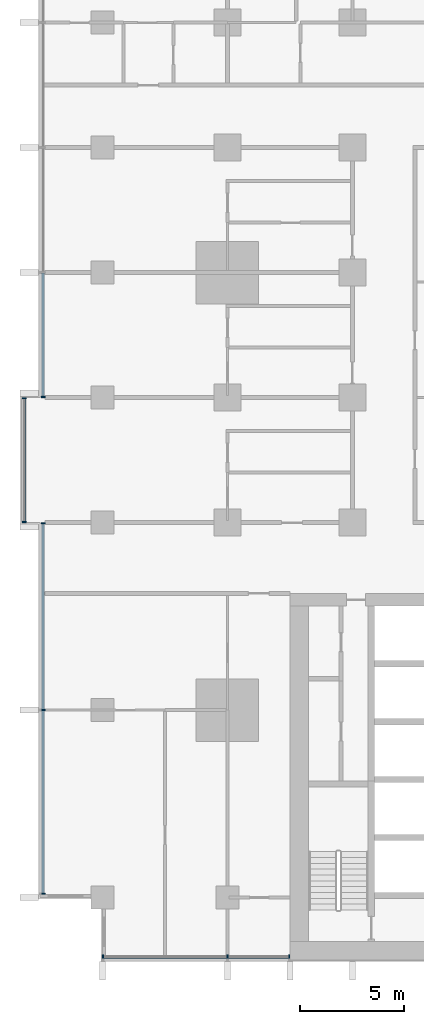
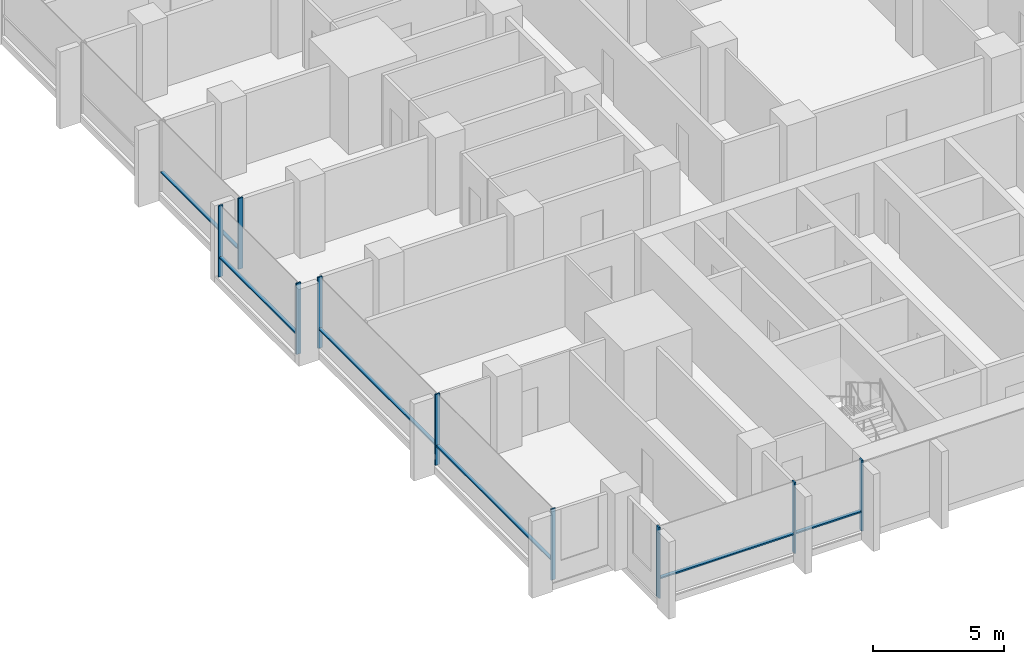
# One storey, part 2 of 18: 15 members, 4 elements without a shape of their own.
"""IFC4 building model written with IfcOpenShell, lengths in metres."""

from ifc_helpers import new_model, si_unit, direction, frame, origin, origin_2d, place, context, subcontext, project, spatial, rectangle, extrude, material, material_profile, profile_set, type_object, element, aggregate, save


model = new_model("IFC4")

# Units and contexts
model_context = context("Model", 3, precision=1e-05, world=origin(), true_north=direction((0.0, 1.0)))
body_context = subcontext(model_context, "Body", "Model", "MODEL_VIEW")
ifc_project = project(units=[si_unit("LENGTHUNIT", "METRE"), si_unit("AREAUNIT", "SQUARE_METRE"), si_unit("VOLUMEUNIT", "CUBIC_METRE"), si_unit("PLANEANGLEUNIT", "RADIAN"), si_unit("MASSUNIT", "GRAM", prefix="KILO")], contexts=[model_context])

# Site, building, storey
site_placement = place(None, origin())
site = spatial("IfcSite", under=ifc_project, at=site_placement, CompositionType="ELEMENT")
building_placement = place(site_placement, origin())
building = spatial("IfcBuilding", under=site, at=building_placement, Name="Finial Court Residences", CompositionType="ELEMENT")
storey_placement = place(building_placement, frame((0.0, 0.0, 68.5)))
storey = spatial("IfcBuildingStorey", under=building, at=storey_placement, Name="L16", CompositionType="ELEMENT", Elevation=68.5)

# Curtain wall, members
ifc_material = material(Name="Bronze anodised aluminium", Category="aluminium")
curtain_wall_type = type_object("IfcCurtainWallType", Name="Unitised curtain wall, lower and middle zones", PredefinedType="NOTDEFINED", material=ifc_material)
curtain_wall_1_placement = place(storey_placement, origin())
curtain_wall_1 = element("IfcCurtainWall", 1, at=curtain_wall_1_placement, inside=storey, type_object=curtain_wall_type, Name="E-L16-CW-S9", PredefinedType="NOTDEFINED")
ifc_material_profile_1 = material_profile(ifc_material, rectangle(XDim=0.199951171875, YDim=0.06494140625, at=origin_2d()), Name="CW1 mullion 65 x 200")
ifc_profile_set_1 = profile_set([ifc_material_profile_1], Name="Bronze anodised aluminium")
member_type_1 = type_object("IfcMemberType", Name="CW1 mullion 65 x 200", PredefinedType="MULLION", material=ifc_profile_set_1)
member_1_placement = place(storey_placement, frame((-22.467529296875, -25.35009765625, 0.0), z_axis=(0.0, 0.0, 1.0), x_axis=(0.0, 1.0, 0.0)))
member_1 = element("IfcMember", 2, at=member_1_placement, type_object=member_type_1, Name="CW1 mullion 1", PredefinedType="MULLION", context=body_context, shape_type="SweptSolid", body=[
    extrude(rectangle(XDim=0.199951171875, YDim=0.06494140625, at=origin_2d()), origin(), (0.0, 0.0, 1.0), 3.300048828125),
])
member_2_placement = place(storey_placement, frame((-16.5, -25.35009765625, 0.0), z_axis=(0.0, 0.0, 1.0), x_axis=(0.0, 1.0, 0.0)))
member_2 = element("IfcMember", 3, at=member_2_placement, type_object=member_type_1, Name="CW1 mullion 2", PredefinedType="MULLION", context=body_context, shape_type="SweptSolid", body=[
    extrude(rectangle(XDim=0.199951171875, YDim=0.06494140625, at=origin_2d()), origin(), (0.0, 0.0, 1.0), 3.300048828125),
])
member_3_placement = place(storey_placement, frame((-13.532470703125, -25.35009765625, 0.0), z_axis=(0.0, 0.0, 1.0), x_axis=(0.0, 1.0, 0.0)))
member_3 = element("IfcMember", 4, at=member_3_placement, type_object=member_type_1, Name="CW1 mullion 3", PredefinedType="MULLION", context=body_context, shape_type="SweptSolid", body=[
    extrude(rectangle(XDim=0.199951171875, YDim=0.06494140625, at=origin_2d()), origin(), (0.0, 0.0, 1.0), 3.300048828125),
])

curtain_wall_2_placement = place(storey_placement, origin())
curtain_wall_2 = element("IfcCurtainWall", 5, at=curtain_wall_2_placement, inside=storey, type_object=curtain_wall_type, Name="E-L16-CW-W11", PredefinedType="NOTDEFINED")
member_4_placement = place(storey_placement, frame((-25.35009765625, -22.3173828125, 0.0), z_axis=(0.0, 0.0, 1.0), x_axis=(-1.0, 0.0, 0.0)))
member_4 = element("IfcMember", 6, at=member_4_placement, type_object=member_type_1, Name="CW1 mullion 1", PredefinedType="MULLION", context=body_context, shape_type="SweptSolid", body=[
    extrude(rectangle(XDim=0.199951171875, YDim=0.06494140625, at=origin_2d()), origin(), (0.0, 0.0, 1.0), 3.300048828125),
])
member_5_placement = place(storey_placement, frame((-25.35009765625, -13.5, 0.0), z_axis=(0.0, 0.0, 1.0), x_axis=(-1.0, 0.0, 0.0)))
member_5 = element("IfcMember", 7, at=member_5_placement, type_object=member_type_1, Name="CW1 mullion 2", PredefinedType="MULLION", context=body_context, shape_type="SweptSolid", body=[
    extrude(rectangle(XDim=0.199951171875, YDim=0.06494140625, at=origin_2d()), origin(), (0.0, 0.0, 1.0), 3.300048828125),
])
member_6_placement = place(storey_placement, frame((-25.35009765625, -4.532470703125, 0.0), z_axis=(0.0, 0.0, 1.0), x_axis=(-1.0, 0.0, 0.0)))
member_6 = element("IfcMember", 8, at=member_6_placement, type_object=member_type_1, Name="CW1 mullion 3", PredefinedType="MULLION", context=body_context, shape_type="SweptSolid", body=[
    extrude(rectangle(XDim=0.199951171875, YDim=0.06494140625, at=origin_2d()), origin(), (0.0, 0.0, 1.0), 3.300048828125),
])

curtain_wall_3_placement = place(storey_placement, origin())
curtain_wall_3 = element("IfcCurtainWall", 9, at=curtain_wall_3_placement, inside=storey, type_object=curtain_wall_type, Name="E-L16-CW-W12", PredefinedType="NOTDEFINED")
member_7_placement = place(storey_placement, frame((-26.25, -4.467529296875, 0.0), z_axis=(0.0, 0.0, 1.0), x_axis=(-1.0, 0.0, 0.0)))
member_7 = element("IfcMember", 10, at=member_7_placement, type_object=member_type_1, Name="CW1 mullion 1", PredefinedType="MULLION", context=body_context, shape_type="SweptSolid", body=[
    extrude(rectangle(XDim=0.199951171875, YDim=0.06494140625, at=origin_2d()), origin(), (0.0, 0.0, 1.0), 3.300048828125),
])
member_8_placement = place(storey_placement, frame((-26.25, 1.467529296875, 0.0), z_axis=(0.0, 0.0, 1.0), x_axis=(-1.0, 0.0, 0.0)))
member_8 = element("IfcMember", 11, at=member_8_placement, type_object=member_type_1, Name="CW1 mullion 2", PredefinedType="MULLION", context=body_context, shape_type="SweptSolid", body=[
    extrude(rectangle(XDim=0.199951171875, YDim=0.06494140625, at=origin_2d()), origin(), (0.0, 0.0, 1.0), 3.300048828125),
])

# Curtain wall, member
curtain_wall_4_placement = place(storey_placement, origin())
curtain_wall_4 = element("IfcCurtainWall", 12, at=curtain_wall_4_placement, inside=storey, type_object=curtain_wall_type, Name="E-L16-CW-W13", PredefinedType="NOTDEFINED")
member_9_placement = place(storey_placement, frame((-25.35009765625, 1.532470703125, 0.0), z_axis=(0.0, 0.0, 1.0), x_axis=(-1.0, 0.0, 0.0)))
member_9 = element("IfcMember", 13, at=member_9_placement, type_object=member_type_1, Name="CW1 mullion 1", PredefinedType="MULLION", context=body_context, shape_type="SweptSolid", body=[
    extrude(rectangle(XDim=0.199951171875, YDim=0.06494140625, at=origin_2d()), origin(), (0.0, 0.0, 1.0), 3.300048828125),
])

# Member
ifc_material_profile_2 = material_profile(ifc_material, rectangle(XDim=0.14990234375, YDim=0.06494140625, at=origin_2d()), Name="CW1 transom 65 x 150")
ifc_profile_set_2 = profile_set([ifc_material_profile_2], Name="Bronze anodised aluminium")
member_type_2 = type_object("IfcMemberType", Name="CW1 transom 65 x 150", PredefinedType="USERDEFINED", material=ifc_profile_set_2)
member_10_placement = place(storey_placement, frame((-22.43505859375, -25.35009765625, 0.89990234375), z_axis=(1.0, 0.0, 0.0), x_axis=(0.0, 1.0, 0.0)))
member_10 = element("IfcMember", 14, at=member_10_placement, type_object=member_type_2, Name="CW1 transom 1.1", ObjectType="TRANSOM", PredefinedType="USERDEFINED", context=body_context, shape_type="SweptSolid", body=[
    extrude(rectangle(XDim=0.14990234375, YDim=0.06494140625, at=origin_2d()), origin(), (0.0, 0.0, 1.0), 5.902587890625),
])

member_11_placement = place(storey_placement, frame((-16.467529296875, -25.35009765625, 0.89990234375), z_axis=(1.0, 0.0, 0.0), x_axis=(0.0, 1.0, 0.0)))
member_11 = element("IfcMember", 15, at=member_11_placement, type_object=member_type_2, Name="CW1 transom 2.1", ObjectType="TRANSOM", PredefinedType="USERDEFINED", context=body_context, shape_type="SweptSolid", body=[
    extrude(rectangle(XDim=0.14990234375, YDim=0.06494140625, at=origin_2d()), origin(), (0.0, 0.0, 1.0), 2.902587890625),
])

aggregate(curtain_wall_1, [member_1, member_2, member_3, member_10, member_11])

member_12_placement = place(storey_placement, frame((-25.35009765625, -22.284912109375, 0.89990234375), z_axis=(0.0, 1.0, 0.0), x_axis=(-1.0, 0.0, 0.0)))
member_12 = element("IfcMember", 16, at=member_12_placement, type_object=member_type_2, Name="CW1 transom 1.1", ObjectType="TRANSOM", PredefinedType="USERDEFINED", context=body_context, shape_type="SweptSolid", body=[
    extrude(rectangle(XDim=0.14990234375, YDim=0.06494140625, at=origin_2d()), origin(), (0.0, 0.0, 1.0), 8.75244140625),
])

member_13_placement = place(storey_placement, frame((-25.35009765625, -13.467529296875, 0.89990234375), z_axis=(0.0, 1.0, 0.0), x_axis=(-1.0, 0.0, 0.0)))
member_13 = element("IfcMember", 17, at=member_13_placement, type_object=member_type_2, Name="CW1 transom 2.1", ObjectType="TRANSOM", PredefinedType="USERDEFINED", context=body_context, shape_type="SweptSolid", body=[
    extrude(rectangle(XDim=0.14990234375, YDim=0.06494140625, at=origin_2d()), origin(), (0.0, 0.0, 1.0), 8.902587890625),
])

aggregate(curtain_wall_2, [member_4, member_5, member_6, member_12, member_13])

member_14_placement = place(storey_placement, frame((-26.25, -4.43505859375, 0.89990234375), z_axis=(0.0, 1.0, 0.0), x_axis=(-1.0, 0.0, 0.0)))
member_14 = element("IfcMember", 18, at=member_14_placement, type_object=member_type_2, Name="CW1 transom 1.1", ObjectType="TRANSOM", PredefinedType="USERDEFINED", context=body_context, shape_type="SweptSolid", body=[
    extrude(rectangle(XDim=0.14990234375, YDim=0.06494140625, at=origin_2d()), origin(), (0.0, 0.0, 1.0), 5.8701171875),
])

aggregate(curtain_wall_3, [member_7, member_8, member_14])

member_15_placement = place(storey_placement, frame((-25.35009765625, 1.56494140625, 0.89990234375), z_axis=(0.0, 1.0, 0.0), x_axis=(-1.0, 0.0, 0.0)))
member_15 = element("IfcMember", 19, at=member_15_placement, type_object=member_type_2, Name="CW1 transom 1.1", ObjectType="TRANSOM", PredefinedType="USERDEFINED", context=body_context, shape_type="SweptSolid", body=[
    extrude(rectangle(XDim=0.14990234375, YDim=0.06494140625, at=origin_2d()), origin(), (0.0, 0.0, 1.0), 5.902587890625),
])

aggregate(curtain_wall_4, [member_9, member_15])

save(model, "model.ifc")
